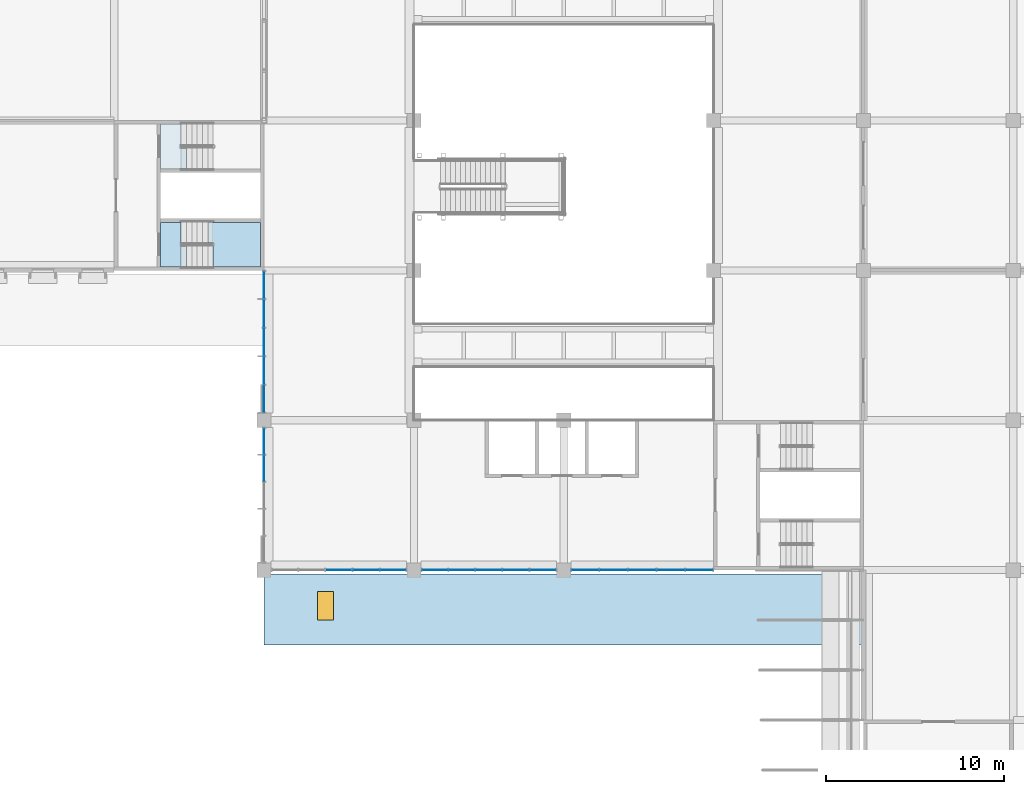
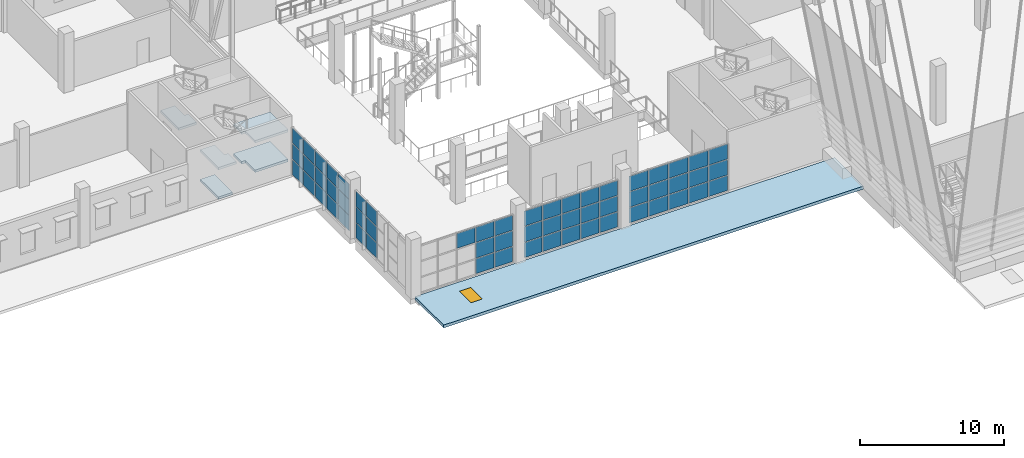
# One storey, part 22 of 101: 58 plates, 6 slabs, 1 window, 1 opening, 7 elements without a shape of their own.
"""IFC4 building model written with IfcOpenShell, lengths in metres."""

from ifc_helpers import new_model, si_unit, direction, frame, origin, origin_2d, place, context, subcontext, project, spatial, polyline, rectangle, outline, extrude, material, layer, layer_set, type_object, element, fill, aggregate, save


model = new_model("IFC4")

# Units and contexts
model_context = context("Model", 3, precision=1e-05, world=origin(), true_north=direction((0.0, 1.0)))
body_context = subcontext(model_context, "Body", "Model", "MODEL_VIEW")
ifc_project = project(units=[si_unit("LENGTHUNIT", "METRE"), si_unit("AREAUNIT", "SQUARE_METRE"), si_unit("VOLUMEUNIT", "CUBIC_METRE"), si_unit("PLANEANGLEUNIT", "RADIAN"), si_unit("MASSUNIT", "GRAM", prefix="KILO")], contexts=[model_context])

# Site, building, storey
site_placement = place(None, origin())
site = spatial("IfcSite", under=ifc_project, at=site_placement, CompositionType="ELEMENT")
building_placement = place(site_placement, origin())
building = spatial("IfcBuilding", under=site, at=building_placement, Name="Almond Square Museum", CompositionType="ELEMENT")
storey_placement = place(building_placement, frame((0.0, 0.0, 5.5)))
storey = spatial("IfcBuildingStorey", under=building, at=storey_placement, Name="L01", CompositionType="ELEMENT", Elevation=5.5)

# Slab, opening, window
ifc_material_1 = material(Name="Timber deck and membrane roofing", Category="wood")
ifc_layer_1 = layer(ifc_material_1, 0.25)
ifc_layer_set_1 = layer_set([ifc_layer_1], Name="Timber deck and membrane roofing")
slab_type_1 = type_object("IfcSlabType", Name="Arcade roof covering 250", PredefinedType="ROOF", material=ifc_layer_set_1)
slab_1_placement = place(storey_placement, frame((0.0, 0.0, -0.25)))
slab_1 = element("IfcSlab", 1, at=slab_1_placement, inside=storey, type_object=slab_type_1, Name="Roof covering Log V2", PredefinedType="ROOF", context=body_context, shape_type="SweptSolid", body=[
    extrude(outline(polyline([(106.800048828125, 63.0), (106.800048828125, 66.97998046875), (73.199951171875, 66.97998046875), (73.199951171875, 63.0), (106.800048828125, 63.0)])), origin(), (0.0, 0.0, 1.0), 0.25),
])
opening_placement = place(slab_1_placement, frame((76.64990234375, 65.199951171875, -0.010009765625)))
opening = element("IfcOpeningElement", 2, at=opening_placement, cuts=slab_1, Name="Opening RL403", PredefinedType="OPENING", context=body_context, shape_type="SweptSolid", body=[
    extrude(rectangle(XDim=0.89990234375, YDim=1.60009765625, at=origin_2d()), origin(), (0.0, 0.0, 1.0), 0.27001953125),
])
ifc_material_2 = material(Name="Aluminium frame and laminated glass", Category="aluminium")
window_type = type_object("IfcWindowType", Name="Entrance rooflight 900 x 1600", PartitioningType="SINGLE_PANEL", PredefinedType="SKYLIGHT", material=ifc_material_2)
window_placement = place(opening_placement, frame((0.0, 0.0, 0.2099609375)))
window = element("IfcWindow", 3, at=window_placement, inside=storey, type_object=window_type, Name="Rooflight", OverallHeight=1.60009765625, OverallWidth=0.89990234375, PartitioningType="SINGLE_PANEL", PredefinedType="SKYLIGHT", context=body_context, shape_type="SweptSolid", body=[
    extrude(rectangle(XDim=0.89990234375, YDim=1.60009765625, at=origin_2d()), origin(), (0.0, 0.0, 1.0), 0.050048828125),
])
fill(opening, window)

# Stair, slabs
ifc_material_3 = material(Name="Concrete C40/50", Category="concrete")
stair_type = type_object("IfcStairType", Name="Exit stair 28 risers of 179 mm", PredefinedType="HALF_TURN_STAIR", material=ifc_material_3)
stair_1_placement = place(storey_placement, origin())
stair_1 = element("IfcStair", 4, at=stair_1_placement, inside=storey, type_object=stair_type, Name="L01 stair N2-1", PredefinedType="HALF_TURN_STAIR")
ifc_material_4 = material(Name="Concrete C40/50", Category="concrete")
ifc_layer_2 = layer(ifc_material_4, 0.199951171875)
ifc_layer_set_2 = layer_set([ifc_layer_2], Name="Concrete C40/50")
slab_type_2 = type_object("IfcSlabType", Name="Concrete stair landing 200", PredefinedType="LANDING", material=ifc_layer_set_2)
slab_2_placement = place(storey_placement, frame((0.0, 0.0, 1.050048828125)))
slab_2 = element("IfcSlab", 5, at=slab_2_placement, type_object=slab_type_2, Name="ST-19 landing 1", PredefinedType="LANDING", context=body_context, shape_type="SweptSolid", body=[
    extrude(outline(polyline([(70.346923828125, 84.199951171875), (73.0, 84.199951171875), (73.0, 86.699951171875), (70.050048828125, 86.699951171875), (70.050048828125, 85.550048828125), (70.346923828125, 85.550048828125), (70.346923828125, 84.199951171875)])), origin(), (0.0, 0.0, 1.0), 0.199951171875),
])
slab_3_placement = place(storey_placement, frame((0.0, 0.0, 2.300048828125)))
slab_3 = element("IfcSlab", 6, at=slab_3_placement, type_object=slab_type_2, Name="ST-19 landing 2", PredefinedType="LANDING", context=body_context, shape_type="SweptSolid", body=[
    extrude(outline(polyline([(67.39990234375, 84.199951171875), (68.550048828125, 84.199951171875), (68.85009765625, 84.199951171875), (68.85009765625, 85.35009765625), (68.552978515625, 85.35009765625), (68.552978515625, 86.699951171875), (67.39990234375, 86.699951171875), (67.39990234375, 84.199951171875)])), origin(), (0.0, 0.0, 1.0), 0.199951171875),
])
slab_4_placement = place(storey_placement, frame((0.0, 0.0, 3.550048828125)))
slab_4 = element("IfcSlab", 7, at=slab_4_placement, type_object=slab_type_2, Name="ST-19 landing 3", PredefinedType="LANDING", context=body_context, shape_type="SweptSolid", body=[
    extrude(outline(polyline([(70.346923828125, 84.199951171875), (73.0, 84.199951171875), (73.0, 86.699951171875), (70.050048828125, 86.699951171875), (70.050048828125, 85.550048828125), (70.346923828125, 85.550048828125), (70.346923828125, 84.199951171875)])), origin(), (0.0, 0.0, 1.0), 0.199951171875),
])
aggregate(stair_1, [slab_2, slab_3, slab_4])

# Stair, slab
stair_2_placement = place(storey_placement, origin())
stair_2 = element("IfcStair", 8, at=stair_2_placement, inside=storey, type_object=stair_type, Name="L01 stair N2-2", PredefinedType="HALF_TURN_STAIR")
slab_5_placement = place(storey_placement, frame((0.0, 0.0, 2.300048828125)))
slab_5 = element("IfcSlab", 9, at=slab_5_placement, type_object=slab_type_2, Name="ST-20 landing 2", PredefinedType="LANDING", context=body_context, shape_type="SweptSolid", body=[
    extrude(outline(polyline([(67.39990234375, 89.699951171875), (68.550048828125, 89.699951171875), (68.85009765625, 89.699951171875), (68.85009765625, 90.85009765625), (68.552978515625, 90.85009765625), (68.552978515625, 92.199951171875), (67.39990234375, 92.199951171875), (67.39990234375, 89.699951171875)])), origin(), (0.0, 0.0, 1.0), 0.199951171875),
])
aggregate(stair_2, [slab_5])

# Slab
slab_6_placement = place(storey_placement, frame((0.0, 0.0, -0.199951171875)))
element("IfcSlab", 10, at=slab_6_placement, inside=storey, type_object=slab_type_2, Name="L01 stair N2-1 floor landing", PredefinedType="LANDING", context=body_context, shape_type="SweptSolid", body=[
    extrude(outline(polyline([(67.39990234375, 84.199951171875), (68.552978515625, 84.199951171875), (68.552978515625, 86.699951171875), (67.39990234375, 86.699951171875), (67.39990234375, 84.199951171875)])), origin(), (0.0, 0.0, 1.0), 0.199951171875),
])

# Curtain wall, plates
ifc_material_5 = material(Name="Aluminium and laminated glass", Category="aluminium")
curtain_wall_type = type_object("IfcCurtainWallType", Name="Unitised curtain wall 1500 module", PredefinedType="NOTDEFINED", material=ifc_material_5)
curtain_wall_1_placement = place(storey_placement, origin())
curtain_wall_1 = element("IfcCurtainWall", 11, at=curtain_wall_1_placement, inside=storey, type_object=curtain_wall_type, Name="Curtain wall CW-11", PredefinedType="NOTDEFINED")
ifc_material_6 = material(Name="Laminated hurricane-rated glass", Category="glass")
ifc_layer_3 = layer(ifc_material_6, 0.035888671875)
ifc_layer_set_3 = layer_set([ifc_layer_3], Name="Laminated hurricane-rated glass")
plate_type = type_object("IfcPlateType", Name="Laminated glass panel 36", PredefinedType="CURTAIN_PANEL", material=ifc_layer_set_3)
plate_1_placement = place(storey_placement, frame((73.199951171875, 76.81494140625, 0.06005859375), z_axis=(0.0, 0.0, 1.0), x_axis=(0.0, 1.0, 0.0)))
plate_1 = element("IfcPlate", 12, at=plate_1_placement, type_object=plate_type, Name="CW-11 panel 1.1", PredefinedType="CURTAIN_PANEL", context=body_context, shape_type="SweptSolid", body=[
    extrude(rectangle(XDim=1.510009765625, YDim=0.035888671875, at=origin_2d()), origin(), (0.0, 0.0, 1.0), 1.260009765625),
])
plate_2_placement = place(storey_placement, frame((73.199951171875, 76.81494140625, 1.3798828125), z_axis=(0.0, 0.0, 1.0), x_axis=(0.0, 1.0, 0.0)))
plate_2 = element("IfcPlate", 13, at=plate_2_placement, type_object=plate_type, Name="CW-11 panel 1.2", PredefinedType="CURTAIN_PANEL", context=body_context, shape_type="SweptSolid", body=[
    extrude(rectangle(XDim=1.510009765625, YDim=0.035888671875, at=origin_2d()), origin(), (0.0, 0.0, 1.0), 1.2900390625),
])
plate_3_placement = place(storey_placement, frame((73.199951171875, 76.81494140625, 2.72998046875), z_axis=(0.0, 0.0, 1.0), x_axis=(0.0, 1.0, 0.0)))
plate_3 = element("IfcPlate", 14, at=plate_3_placement, type_object=plate_type, Name="CW-11 panel 1.3", PredefinedType="CURTAIN_PANEL", context=body_context, shape_type="SweptSolid", body=[
    extrude(rectangle(XDim=1.510009765625, YDim=0.035888671875, at=origin_2d()), origin(), (0.0, 0.0, 1.0), 1.260009765625),
])
plate_4_placement = place(storey_placement, frame((73.199951171875, 78.39990234375, 0.06005859375), z_axis=(0.0, 0.0, 1.0), x_axis=(0.0, 1.0, 0.0)))
plate_4 = element("IfcPlate", 15, at=plate_4_placement, type_object=plate_type, Name="CW-11 panel 2.1", PredefinedType="CURTAIN_PANEL", context=body_context, shape_type="SweptSolid", body=[
    extrude(rectangle(XDim=1.5400390625, YDim=0.035888671875, at=origin_2d()), origin(), (0.0, 0.0, 1.0), 1.260009765625),
])
plate_5_placement = place(storey_placement, frame((73.199951171875, 78.39990234375, 1.3798828125), z_axis=(0.0, 0.0, 1.0), x_axis=(0.0, 1.0, 0.0)))
plate_5 = element("IfcPlate", 16, at=plate_5_placement, type_object=plate_type, Name="CW-11 panel 2.2", PredefinedType="CURTAIN_PANEL", context=body_context, shape_type="SweptSolid", body=[
    extrude(rectangle(XDim=1.5400390625, YDim=0.035888671875, at=origin_2d()), origin(), (0.0, 0.0, 1.0), 1.2900390625),
])
plate_6_placement = place(storey_placement, frame((73.199951171875, 78.39990234375, 2.72998046875), z_axis=(0.0, 0.0, 1.0), x_axis=(0.0, 1.0, 0.0)))
plate_6 = element("IfcPlate", 17, at=plate_6_placement, type_object=plate_type, Name="CW-11 panel 2.3", PredefinedType="CURTAIN_PANEL", context=body_context, shape_type="SweptSolid", body=[
    extrude(rectangle(XDim=1.5400390625, YDim=0.035888671875, at=origin_2d()), origin(), (0.0, 0.0, 1.0), 1.260009765625),
])
plate_7_placement = place(storey_placement, frame((73.199951171875, 80.0, 0.06005859375), z_axis=(0.0, 0.0, 1.0), x_axis=(0.0, 1.0, 0.0)))
plate_7 = element("IfcPlate", 18, at=plate_7_placement, type_object=plate_type, Name="CW-11 panel 3.1", PredefinedType="CURTAIN_PANEL", context=body_context, shape_type="SweptSolid", body=[
    extrude(rectangle(XDim=1.5400390625, YDim=0.035888671875, at=origin_2d()), origin(), (0.0, 0.0, 1.0), 1.260009765625),
])
plate_8_placement = place(storey_placement, frame((73.199951171875, 80.0, 1.3798828125), z_axis=(0.0, 0.0, 1.0), x_axis=(0.0, 1.0, 0.0)))
plate_8 = element("IfcPlate", 19, at=plate_8_placement, type_object=plate_type, Name="CW-11 panel 3.2", PredefinedType="CURTAIN_PANEL", context=body_context, shape_type="SweptSolid", body=[
    extrude(rectangle(XDim=1.5400390625, YDim=0.035888671875, at=origin_2d()), origin(), (0.0, 0.0, 1.0), 1.2900390625),
])
plate_9_placement = place(storey_placement, frame((73.199951171875, 80.0, 2.72998046875), z_axis=(0.0, 0.0, 1.0), x_axis=(0.0, 1.0, 0.0)))
plate_9 = element("IfcPlate", 20, at=plate_9_placement, type_object=plate_type, Name="CW-11 panel 3.3", PredefinedType="CURTAIN_PANEL", context=body_context, shape_type="SweptSolid", body=[
    extrude(rectangle(XDim=1.5400390625, YDim=0.035888671875, at=origin_2d()), origin(), (0.0, 0.0, 1.0), 1.260009765625),
])
plate_10_placement = place(storey_placement, frame((73.199951171875, 81.60009765625, 0.06005859375), z_axis=(0.0, 0.0, 1.0), x_axis=(0.0, 1.0, 0.0)))
plate_10 = element("IfcPlate", 21, at=plate_10_placement, type_object=plate_type, Name="CW-11 panel 4.1", PredefinedType="CURTAIN_PANEL", context=body_context, shape_type="SweptSolid", body=[
    extrude(rectangle(XDim=1.5400390625, YDim=0.035888671875, at=origin_2d()), origin(), (0.0, 0.0, 1.0), 1.260009765625),
])
plate_11_placement = place(storey_placement, frame((73.199951171875, 81.60009765625, 1.3798828125), z_axis=(0.0, 0.0, 1.0), x_axis=(0.0, 1.0, 0.0)))
plate_11 = element("IfcPlate", 22, at=plate_11_placement, type_object=plate_type, Name="CW-11 panel 4.2", PredefinedType="CURTAIN_PANEL", context=body_context, shape_type="SweptSolid", body=[
    extrude(rectangle(XDim=1.5400390625, YDim=0.035888671875, at=origin_2d()), origin(), (0.0, 0.0, 1.0), 1.2900390625),
])
plate_12_placement = place(storey_placement, frame((73.199951171875, 81.60009765625, 2.72998046875), z_axis=(0.0, 0.0, 1.0), x_axis=(0.0, 1.0, 0.0)))
plate_12 = element("IfcPlate", 23, at=plate_12_placement, type_object=plate_type, Name="CW-11 panel 4.3", PredefinedType="CURTAIN_PANEL", context=body_context, shape_type="SweptSolid", body=[
    extrude(rectangle(XDim=1.5400390625, YDim=0.035888671875, at=origin_2d()), origin(), (0.0, 0.0, 1.0), 1.260009765625),
])
plate_13_placement = place(storey_placement, frame((73.199951171875, 83.18505859375, 0.06005859375), z_axis=(0.0, 0.0, 1.0), x_axis=(0.0, 1.0, 0.0)))
plate_13 = element("IfcPlate", 24, at=plate_13_placement, type_object=plate_type, Name="CW-11 panel 5.1", PredefinedType="CURTAIN_PANEL", context=body_context, shape_type="SweptSolid", body=[
    extrude(rectangle(XDim=1.510009765625, YDim=0.035888671875, at=origin_2d()), origin(), (0.0, 0.0, 1.0), 1.260009765625),
])
plate_14_placement = place(storey_placement, frame((73.199951171875, 83.18505859375, 1.3798828125), z_axis=(0.0, 0.0, 1.0), x_axis=(0.0, 1.0, 0.0)))
plate_14 = element("IfcPlate", 25, at=plate_14_placement, type_object=plate_type, Name="CW-11 panel 5.2", PredefinedType="CURTAIN_PANEL", context=body_context, shape_type="SweptSolid", body=[
    extrude(rectangle(XDim=1.510009765625, YDim=0.035888671875, at=origin_2d()), origin(), (0.0, 0.0, 1.0), 1.2900390625),
])
plate_15_placement = place(storey_placement, frame((73.199951171875, 83.18505859375, 2.72998046875), z_axis=(0.0, 0.0, 1.0), x_axis=(0.0, 1.0, 0.0)))
plate_15 = element("IfcPlate", 26, at=plate_15_placement, type_object=plate_type, Name="CW-11 panel 5.3", PredefinedType="CURTAIN_PANEL", context=body_context, shape_type="SweptSolid", body=[
    extrude(rectangle(XDim=1.510009765625, YDim=0.035888671875, at=origin_2d()), origin(), (0.0, 0.0, 1.0), 1.260009765625),
])
aggregate(curtain_wall_1, [plate_1, plate_2, plate_3, plate_4, plate_5, plate_6, plate_7, plate_8, plate_9, plate_10, plate_11, plate_12, plate_13, plate_14, plate_15])

curtain_wall_2_placement = place(storey_placement, origin())
curtain_wall_2 = element("IfcCurtainWall", 27, at=curtain_wall_2_placement, inside=storey, type_object=curtain_wall_type, Name="Curtain wall CW-12", PredefinedType="NOTDEFINED")
plate_16_placement = place(storey_placement, frame((73.199951171875, 72.919921875, 0.06005859375), z_axis=(0.0, 0.0, 1.0), x_axis=(0.0, 1.0, 0.0)))
plate_16 = element("IfcPlate", 28, at=plate_16_placement, type_object=plate_type, Name="CW-12 panel 4.1", PredefinedType="CURTAIN_PANEL", context=body_context, shape_type="SweptSolid", body=[
    extrude(rectangle(XDim=1.4599609375, YDim=0.035888671875, at=origin_2d()), origin(), (0.0, 0.0, 1.0), 1.260009765625),
])
plate_17_placement = place(storey_placement, frame((73.199951171875, 72.919921875, 1.3798828125), z_axis=(0.0, 0.0, 1.0), x_axis=(0.0, 1.0, 0.0)))
plate_17 = element("IfcPlate", 29, at=plate_17_placement, type_object=plate_type, Name="CW-12 panel 4.2", PredefinedType="CURTAIN_PANEL", context=body_context, shape_type="SweptSolid", body=[
    extrude(rectangle(XDim=1.4599609375, YDim=0.035888671875, at=origin_2d()), origin(), (0.0, 0.0, 1.0), 1.2900390625),
])
plate_18_placement = place(storey_placement, frame((73.199951171875, 72.919921875, 2.72998046875), z_axis=(0.0, 0.0, 1.0), x_axis=(0.0, 1.0, 0.0)))
plate_18 = element("IfcPlate", 30, at=plate_18_placement, type_object=plate_type, Name="CW-12 panel 4.3", PredefinedType="CURTAIN_PANEL", context=body_context, shape_type="SweptSolid", body=[
    extrude(rectangle(XDim=1.4599609375, YDim=0.035888671875, at=origin_2d()), origin(), (0.0, 0.0, 1.0), 1.260009765625),
])
plate_19_placement = place(storey_placement, frame((73.199951171875, 74.425048828125, 0.06005859375), z_axis=(0.0, 0.0, 1.0), x_axis=(0.0, 1.0, 0.0)))
plate_19 = element("IfcPlate", 31, at=plate_19_placement, type_object=plate_type, Name="CW-12 panel 5.1", PredefinedType="CURTAIN_PANEL", context=body_context, shape_type="SweptSolid", body=[
    extrude(rectangle(XDim=1.429931640625, YDim=0.035888671875, at=origin_2d()), origin(), (0.0, 0.0, 1.0), 1.260009765625),
])
plate_20_placement = place(storey_placement, frame((73.199951171875, 74.425048828125, 1.3798828125), z_axis=(0.0, 0.0, 1.0), x_axis=(0.0, 1.0, 0.0)))
plate_20 = element("IfcPlate", 32, at=plate_20_placement, type_object=plate_type, Name="CW-12 panel 5.2", PredefinedType="CURTAIN_PANEL", context=body_context, shape_type="SweptSolid", body=[
    extrude(rectangle(XDim=1.429931640625, YDim=0.035888671875, at=origin_2d()), origin(), (0.0, 0.0, 1.0), 1.2900390625),
])
plate_21_placement = place(storey_placement, frame((73.199951171875, 74.425048828125, 2.72998046875), z_axis=(0.0, 0.0, 1.0), x_axis=(0.0, 1.0, 0.0)))
plate_21 = element("IfcPlate", 33, at=plate_21_placement, type_object=plate_type, Name="CW-12 panel 5.3", PredefinedType="CURTAIN_PANEL", context=body_context, shape_type="SweptSolid", body=[
    extrude(rectangle(XDim=1.429931640625, YDim=0.035888671875, at=origin_2d()), origin(), (0.0, 0.0, 1.0), 1.260009765625),
])
aggregate(curtain_wall_2, [plate_16, plate_17, plate_18, plate_19, plate_20, plate_21])

curtain_wall_3_placement = place(storey_placement, origin())
curtain_wall_3 = element("IfcCurtainWall", 34, at=curtain_wall_3_placement, inside=storey, type_object=curtain_wall_type, Name="Curtain wall CW-13", PredefinedType="NOTDEFINED")
plate_22_placement = place(storey_placement, frame((77.39990234375, 67.199951171875, 2.72998046875), z_axis=(0.0, 0.0, 1.0), x_axis=(1.0, 0.0, 0.0)))
plate_22 = element("IfcPlate", 35, at=plate_22_placement, type_object=plate_type, Name="CW-13 panel 3.3", PredefinedType="CURTAIN_PANEL", context=body_context, shape_type="SweptSolid", body=[
    extrude(rectangle(XDim=1.4599609375, YDim=0.035888671875, at=origin_2d()), origin(), (0.0, 0.0, 1.0), 1.260009765625),
])
plate_23_placement = place(storey_placement, frame((78.919921875, 67.199951171875, 0.06005859375), z_axis=(0.0, 0.0, 1.0), x_axis=(1.0, 0.0, 0.0)))
plate_23 = element("IfcPlate", 36, at=plate_23_placement, type_object=plate_type, Name="CW-13 panel 4.1", PredefinedType="CURTAIN_PANEL", context=body_context, shape_type="SweptSolid", body=[
    extrude(rectangle(XDim=1.4599609375, YDim=0.035888671875, at=origin_2d()), origin(), (0.0, 0.0, 1.0), 1.260009765625),
])
plate_24_placement = place(storey_placement, frame((78.919921875, 67.199951171875, 1.3798828125), z_axis=(0.0, 0.0, 1.0), x_axis=(1.0, 0.0, 0.0)))
plate_24 = element("IfcPlate", 37, at=plate_24_placement, type_object=plate_type, Name="CW-13 panel 4.2", PredefinedType="CURTAIN_PANEL", context=body_context, shape_type="SweptSolid", body=[
    extrude(rectangle(XDim=1.4599609375, YDim=0.035888671875, at=origin_2d()), origin(), (0.0, 0.0, 1.0), 1.2900390625),
])
plate_25_placement = place(storey_placement, frame((78.919921875, 67.199951171875, 2.72998046875), z_axis=(0.0, 0.0, 1.0), x_axis=(1.0, 0.0, 0.0)))
plate_25 = element("IfcPlate", 38, at=plate_25_placement, type_object=plate_type, Name="CW-13 panel 4.3", PredefinedType="CURTAIN_PANEL", context=body_context, shape_type="SweptSolid", body=[
    extrude(rectangle(XDim=1.4599609375, YDim=0.035888671875, at=origin_2d()), origin(), (0.0, 0.0, 1.0), 1.260009765625),
])
plate_26_placement = place(storey_placement, frame((80.425048828125, 67.199951171875, 0.06005859375), z_axis=(0.0, 0.0, 1.0), x_axis=(1.0, 0.0, 0.0)))
plate_26 = element("IfcPlate", 39, at=plate_26_placement, type_object=plate_type, Name="CW-13 panel 5.1", PredefinedType="CURTAIN_PANEL", context=body_context, shape_type="SweptSolid", body=[
    extrude(rectangle(XDim=1.429931640625, YDim=0.035888671875, at=origin_2d()), origin(), (0.0, 0.0, 1.0), 1.260009765625),
])
plate_27_placement = place(storey_placement, frame((80.425048828125, 67.199951171875, 1.3798828125), z_axis=(0.0, 0.0, 1.0), x_axis=(1.0, 0.0, 0.0)))
plate_27 = element("IfcPlate", 40, at=plate_27_placement, type_object=plate_type, Name="CW-13 panel 5.2", PredefinedType="CURTAIN_PANEL", context=body_context, shape_type="SweptSolid", body=[
    extrude(rectangle(XDim=1.429931640625, YDim=0.035888671875, at=origin_2d()), origin(), (0.0, 0.0, 1.0), 1.2900390625),
])
plate_28_placement = place(storey_placement, frame((80.425048828125, 67.199951171875, 2.72998046875), z_axis=(0.0, 0.0, 1.0), x_axis=(1.0, 0.0, 0.0)))
plate_28 = element("IfcPlate", 41, at=plate_28_placement, type_object=plate_type, Name="CW-13 panel 5.3", PredefinedType="CURTAIN_PANEL", context=body_context, shape_type="SweptSolid", body=[
    extrude(rectangle(XDim=1.429931640625, YDim=0.035888671875, at=origin_2d()), origin(), (0.0, 0.0, 1.0), 1.260009765625),
])
aggregate(curtain_wall_3, [plate_22, plate_23, plate_24, plate_25, plate_26, plate_27, plate_28])

curtain_wall_4_placement = place(storey_placement, origin())
curtain_wall_4 = element("IfcCurtainWall", 42, at=curtain_wall_4_placement, inside=storey, type_object=curtain_wall_type, Name="Curtain wall CW-14", PredefinedType="NOTDEFINED")
plate_29_placement = place(storey_placement, frame((82.77490234375, 67.199951171875, 0.06005859375), z_axis=(0.0, 0.0, 1.0), x_axis=(1.0, 0.0, 0.0)))
plate_29 = element("IfcPlate", 43, at=plate_29_placement, type_object=plate_type, Name="CW-14 panel 1.1", PredefinedType="CURTAIN_PANEL", context=body_context, shape_type="SweptSolid", body=[
    extrude(rectangle(XDim=1.429931640625, YDim=0.035888671875, at=origin_2d()), origin(), (0.0, 0.0, 1.0), 1.260009765625),
])
plate_30_placement = place(storey_placement, frame((82.77490234375, 67.199951171875, 1.3798828125), z_axis=(0.0, 0.0, 1.0), x_axis=(1.0, 0.0, 0.0)))
plate_30 = element("IfcPlate", 44, at=plate_30_placement, type_object=plate_type, Name="CW-14 panel 1.2", PredefinedType="CURTAIN_PANEL", context=body_context, shape_type="SweptSolid", body=[
    extrude(rectangle(XDim=1.429931640625, YDim=0.035888671875, at=origin_2d()), origin(), (0.0, 0.0, 1.0), 1.2900390625),
])
plate_31_placement = place(storey_placement, frame((82.77490234375, 67.199951171875, 2.72998046875), z_axis=(0.0, 0.0, 1.0), x_axis=(1.0, 0.0, 0.0)))
plate_31 = element("IfcPlate", 45, at=plate_31_placement, type_object=plate_type, Name="CW-14 panel 1.3", PredefinedType="CURTAIN_PANEL", context=body_context, shape_type="SweptSolid", body=[
    extrude(rectangle(XDim=1.429931640625, YDim=0.035888671875, at=origin_2d()), origin(), (0.0, 0.0, 1.0), 1.260009765625),
])
plate_32_placement = place(storey_placement, frame((84.280029296875, 67.199951171875, 0.06005859375), z_axis=(0.0, 0.0, 1.0), x_axis=(1.0, 0.0, 0.0)))
plate_32 = element("IfcPlate", 46, at=plate_32_placement, type_object=plate_type, Name="CW-14 panel 2.1", PredefinedType="CURTAIN_PANEL", context=body_context, shape_type="SweptSolid", body=[
    extrude(rectangle(XDim=1.4599609375, YDim=0.035888671875, at=origin_2d()), origin(), (0.0, 0.0, 1.0), 1.260009765625),
])
plate_33_placement = place(storey_placement, frame((84.280029296875, 67.199951171875, 1.3798828125), z_axis=(0.0, 0.0, 1.0), x_axis=(1.0, 0.0, 0.0)))
plate_33 = element("IfcPlate", 47, at=plate_33_placement, type_object=plate_type, Name="CW-14 panel 2.2", PredefinedType="CURTAIN_PANEL", context=body_context, shape_type="SweptSolid", body=[
    extrude(rectangle(XDim=1.4599609375, YDim=0.035888671875, at=origin_2d()), origin(), (0.0, 0.0, 1.0), 1.2900390625),
])
plate_34_placement = place(storey_placement, frame((84.280029296875, 67.199951171875, 2.72998046875), z_axis=(0.0, 0.0, 1.0), x_axis=(1.0, 0.0, 0.0)))
plate_34 = element("IfcPlate", 48, at=plate_34_placement, type_object=plate_type, Name="CW-14 panel 2.3", PredefinedType="CURTAIN_PANEL", context=body_context, shape_type="SweptSolid", body=[
    extrude(rectangle(XDim=1.4599609375, YDim=0.035888671875, at=origin_2d()), origin(), (0.0, 0.0, 1.0), 1.260009765625),
])
plate_35_placement = place(storey_placement, frame((85.800048828125, 67.199951171875, 0.06005859375), z_axis=(0.0, 0.0, 1.0), x_axis=(1.0, 0.0, 0.0)))
plate_35 = element("IfcPlate", 49, at=plate_35_placement, type_object=plate_type, Name="CW-14 panel 3.1", PredefinedType="CURTAIN_PANEL", context=body_context, shape_type="SweptSolid", body=[
    extrude(rectangle(XDim=1.4599609375, YDim=0.035888671875, at=origin_2d()), origin(), (0.0, 0.0, 1.0), 1.260009765625),
])
plate_36_placement = place(storey_placement, frame((85.800048828125, 67.199951171875, 1.3798828125), z_axis=(0.0, 0.0, 1.0), x_axis=(1.0, 0.0, 0.0)))
plate_36 = element("IfcPlate", 50, at=plate_36_placement, type_object=plate_type, Name="CW-14 panel 3.2", PredefinedType="CURTAIN_PANEL", context=body_context, shape_type="SweptSolid", body=[
    extrude(rectangle(XDim=1.4599609375, YDim=0.035888671875, at=origin_2d()), origin(), (0.0, 0.0, 1.0), 1.2900390625),
])
plate_37_placement = place(storey_placement, frame((85.800048828125, 67.199951171875, 2.72998046875), z_axis=(0.0, 0.0, 1.0), x_axis=(1.0, 0.0, 0.0)))
plate_37 = element("IfcPlate", 51, at=plate_37_placement, type_object=plate_type, Name="CW-14 panel 3.3", PredefinedType="CURTAIN_PANEL", context=body_context, shape_type="SweptSolid", body=[
    extrude(rectangle(XDim=1.4599609375, YDim=0.035888671875, at=origin_2d()), origin(), (0.0, 0.0, 1.0), 1.260009765625),
])
plate_38_placement = place(storey_placement, frame((87.320068359375, 67.199951171875, 0.06005859375), z_axis=(0.0, 0.0, 1.0), x_axis=(1.0, 0.0, 0.0)))
plate_38 = element("IfcPlate", 52, at=plate_38_placement, type_object=plate_type, Name="CW-14 panel 4.1", PredefinedType="CURTAIN_PANEL", context=body_context, shape_type="SweptSolid", body=[
    extrude(rectangle(XDim=1.4599609375, YDim=0.035888671875, at=origin_2d()), origin(), (0.0, 0.0, 1.0), 1.260009765625),
])
plate_39_placement = place(storey_placement, frame((87.320068359375, 67.199951171875, 1.3798828125), z_axis=(0.0, 0.0, 1.0), x_axis=(1.0, 0.0, 0.0)))
plate_39 = element("IfcPlate", 53, at=plate_39_placement, type_object=plate_type, Name="CW-14 panel 4.2", PredefinedType="CURTAIN_PANEL", context=body_context, shape_type="SweptSolid", body=[
    extrude(rectangle(XDim=1.4599609375, YDim=0.035888671875, at=origin_2d()), origin(), (0.0, 0.0, 1.0), 1.2900390625),
])
plate_40_placement = place(storey_placement, frame((87.320068359375, 67.199951171875, 2.72998046875), z_axis=(0.0, 0.0, 1.0), x_axis=(1.0, 0.0, 0.0)))
plate_40 = element("IfcPlate", 54, at=plate_40_placement, type_object=plate_type, Name="CW-14 panel 4.3", PredefinedType="CURTAIN_PANEL", context=body_context, shape_type="SweptSolid", body=[
    extrude(rectangle(XDim=1.4599609375, YDim=0.035888671875, at=origin_2d()), origin(), (0.0, 0.0, 1.0), 1.260009765625),
])
plate_41_placement = place(storey_placement, frame((88.824951171875, 67.199951171875, 0.06005859375), z_axis=(0.0, 0.0, 1.0), x_axis=(1.0, 0.0, 0.0)))
plate_41 = element("IfcPlate", 55, at=plate_41_placement, type_object=plate_type, Name="CW-14 panel 5.1", PredefinedType="CURTAIN_PANEL", context=body_context, shape_type="SweptSolid", body=[
    extrude(rectangle(XDim=1.429931640625, YDim=0.035888671875, at=origin_2d()), origin(), (0.0, 0.0, 1.0), 1.260009765625),
])
plate_42_placement = place(storey_placement, frame((88.824951171875, 67.199951171875, 1.3798828125), z_axis=(0.0, 0.0, 1.0), x_axis=(1.0, 0.0, 0.0)))
plate_42 = element("IfcPlate", 56, at=plate_42_placement, type_object=plate_type, Name="CW-14 panel 5.2", PredefinedType="CURTAIN_PANEL", context=body_context, shape_type="SweptSolid", body=[
    extrude(rectangle(XDim=1.429931640625, YDim=0.035888671875, at=origin_2d()), origin(), (0.0, 0.0, 1.0), 1.2900390625),
])
plate_43_placement = place(storey_placement, frame((88.824951171875, 67.199951171875, 2.72998046875), z_axis=(0.0, 0.0, 1.0), x_axis=(1.0, 0.0, 0.0)))
plate_43 = element("IfcPlate", 57, at=plate_43_placement, type_object=plate_type, Name="CW-14 panel 5.3", PredefinedType="CURTAIN_PANEL", context=body_context, shape_type="SweptSolid", body=[
    extrude(rectangle(XDim=1.429931640625, YDim=0.035888671875, at=origin_2d()), origin(), (0.0, 0.0, 1.0), 1.260009765625),
])
aggregate(curtain_wall_4, [plate_29, plate_30, plate_31, plate_32, plate_33, plate_34, plate_35, plate_36, plate_37, plate_38, plate_39, plate_40, plate_41, plate_42, plate_43])

curtain_wall_5_placement = place(storey_placement, origin())
curtain_wall_5 = element("IfcCurtainWall", 58, at=curtain_wall_5_placement, inside=storey, type_object=curtain_wall_type, Name="Curtain wall CW-15", PredefinedType="NOTDEFINED")
plate_44_placement = place(storey_placement, frame((91.215087890625, 67.199951171875, 0.06005859375), z_axis=(0.0, 0.0, 1.0), x_axis=(1.0, 0.0, 0.0)))
plate_44 = element("IfcPlate", 59, at=plate_44_placement, type_object=plate_type, Name="CW-15 panel 1.1", PredefinedType="CURTAIN_PANEL", context=body_context, shape_type="SweptSolid", body=[
    extrude(rectangle(XDim=1.510009765625, YDim=0.035888671875, at=origin_2d()), origin(), (0.0, 0.0, 1.0), 1.260009765625),
])
plate_45_placement = place(storey_placement, frame((91.215087890625, 67.199951171875, 1.3798828125), z_axis=(0.0, 0.0, 1.0), x_axis=(1.0, 0.0, 0.0)))
plate_45 = element("IfcPlate", 60, at=plate_45_placement, type_object=plate_type, Name="CW-15 panel 1.2", PredefinedType="CURTAIN_PANEL", context=body_context, shape_type="SweptSolid", body=[
    extrude(rectangle(XDim=1.510009765625, YDim=0.035888671875, at=origin_2d()), origin(), (0.0, 0.0, 1.0), 1.2900390625),
])
plate_46_placement = place(storey_placement, frame((91.215087890625, 67.199951171875, 2.72998046875), z_axis=(0.0, 0.0, 1.0), x_axis=(1.0, 0.0, 0.0)))
plate_46 = element("IfcPlate", 61, at=plate_46_placement, type_object=plate_type, Name="CW-15 panel 1.3", PredefinedType="CURTAIN_PANEL", context=body_context, shape_type="SweptSolid", body=[
    extrude(rectangle(XDim=1.510009765625, YDim=0.035888671875, at=origin_2d()), origin(), (0.0, 0.0, 1.0), 1.260009765625),
])
plate_47_placement = place(storey_placement, frame((92.800048828125, 67.199951171875, 0.06005859375), z_axis=(0.0, 0.0, 1.0), x_axis=(1.0, 0.0, 0.0)))
plate_47 = element("IfcPlate", 62, at=plate_47_placement, type_object=plate_type, Name="CW-15 panel 2.1", PredefinedType="CURTAIN_PANEL", context=body_context, shape_type="SweptSolid", body=[
    extrude(rectangle(XDim=1.5400390625, YDim=0.035888671875, at=origin_2d()), origin(), (0.0, 0.0, 1.0), 1.260009765625),
])
plate_48_placement = place(storey_placement, frame((92.800048828125, 67.199951171875, 1.3798828125), z_axis=(0.0, 0.0, 1.0), x_axis=(1.0, 0.0, 0.0)))
plate_48 = element("IfcPlate", 63, at=plate_48_placement, type_object=plate_type, Name="CW-15 panel 2.2", PredefinedType="CURTAIN_PANEL", context=body_context, shape_type="SweptSolid", body=[
    extrude(rectangle(XDim=1.5400390625, YDim=0.035888671875, at=origin_2d()), origin(), (0.0, 0.0, 1.0), 1.2900390625),
])
plate_49_placement = place(storey_placement, frame((92.800048828125, 67.199951171875, 2.72998046875), z_axis=(0.0, 0.0, 1.0), x_axis=(1.0, 0.0, 0.0)))
plate_49 = element("IfcPlate", 64, at=plate_49_placement, type_object=plate_type, Name="CW-15 panel 2.3", PredefinedType="CURTAIN_PANEL", context=body_context, shape_type="SweptSolid", body=[
    extrude(rectangle(XDim=1.5400390625, YDim=0.035888671875, at=origin_2d()), origin(), (0.0, 0.0, 1.0), 1.260009765625),
])
plate_50_placement = place(storey_placement, frame((94.39990234375, 67.199951171875, 0.06005859375), z_axis=(0.0, 0.0, 1.0), x_axis=(1.0, 0.0, 0.0)))
plate_50 = element("IfcPlate", 65, at=plate_50_placement, type_object=plate_type, Name="CW-15 panel 3.1", PredefinedType="CURTAIN_PANEL", context=body_context, shape_type="SweptSolid", body=[
    extrude(rectangle(XDim=1.5400390625, YDim=0.035888671875, at=origin_2d()), origin(), (0.0, 0.0, 1.0), 1.260009765625),
])
plate_51_placement = place(storey_placement, frame((94.39990234375, 67.199951171875, 1.3798828125), z_axis=(0.0, 0.0, 1.0), x_axis=(1.0, 0.0, 0.0)))
plate_51 = element("IfcPlate", 66, at=plate_51_placement, type_object=plate_type, Name="CW-15 panel 3.2", PredefinedType="CURTAIN_PANEL", context=body_context, shape_type="SweptSolid", body=[
    extrude(rectangle(XDim=1.5400390625, YDim=0.035888671875, at=origin_2d()), origin(), (0.0, 0.0, 1.0), 1.2900390625),
])
plate_52_placement = place(storey_placement, frame((94.39990234375, 67.199951171875, 2.72998046875), z_axis=(0.0, 0.0, 1.0), x_axis=(1.0, 0.0, 0.0)))
plate_52 = element("IfcPlate", 67, at=plate_52_placement, type_object=plate_type, Name="CW-15 panel 3.3", PredefinedType="CURTAIN_PANEL", context=body_context, shape_type="SweptSolid", body=[
    extrude(rectangle(XDim=1.5400390625, YDim=0.035888671875, at=origin_2d()), origin(), (0.0, 0.0, 1.0), 1.260009765625),
])
plate_53_placement = place(storey_placement, frame((96.0, 67.199951171875, 0.06005859375), z_axis=(0.0, 0.0, 1.0), x_axis=(1.0, 0.0, 0.0)))
plate_53 = element("IfcPlate", 68, at=plate_53_placement, type_object=plate_type, Name="CW-15 panel 4.1", PredefinedType="CURTAIN_PANEL", context=body_context, shape_type="SweptSolid", body=[
    extrude(rectangle(XDim=1.5400390625, YDim=0.035888671875, at=origin_2d()), origin(), (0.0, 0.0, 1.0), 1.260009765625),
])
plate_54_placement = place(storey_placement, frame((96.0, 67.199951171875, 1.3798828125), z_axis=(0.0, 0.0, 1.0), x_axis=(1.0, 0.0, 0.0)))
plate_54 = element("IfcPlate", 69, at=plate_54_placement, type_object=plate_type, Name="CW-15 panel 4.2", PredefinedType="CURTAIN_PANEL", context=body_context, shape_type="SweptSolid", body=[
    extrude(rectangle(XDim=1.5400390625, YDim=0.035888671875, at=origin_2d()), origin(), (0.0, 0.0, 1.0), 1.2900390625),
])
plate_55_placement = place(storey_placement, frame((96.0, 67.199951171875, 2.72998046875), z_axis=(0.0, 0.0, 1.0), x_axis=(1.0, 0.0, 0.0)))
plate_55 = element("IfcPlate", 70, at=plate_55_placement, type_object=plate_type, Name="CW-15 panel 4.3", PredefinedType="CURTAIN_PANEL", context=body_context, shape_type="SweptSolid", body=[
    extrude(rectangle(XDim=1.5400390625, YDim=0.035888671875, at=origin_2d()), origin(), (0.0, 0.0, 1.0), 1.260009765625),
])
plate_56_placement = place(storey_placement, frame((97.5849609375, 67.199951171875, 0.06005859375), z_axis=(0.0, 0.0, 1.0), x_axis=(1.0, 0.0, 0.0)))
plate_56 = element("IfcPlate", 71, at=plate_56_placement, type_object=plate_type, Name="CW-15 panel 5.1", PredefinedType="CURTAIN_PANEL", context=body_context, shape_type="SweptSolid", body=[
    extrude(rectangle(XDim=1.510009765625, YDim=0.035888671875, at=origin_2d()), origin(), (0.0, 0.0, 1.0), 1.260009765625),
])
plate_57_placement = place(storey_placement, frame((97.5849609375, 67.199951171875, 1.3798828125), z_axis=(0.0, 0.0, 1.0), x_axis=(1.0, 0.0, 0.0)))
plate_57 = element("IfcPlate", 72, at=plate_57_placement, type_object=plate_type, Name="CW-15 panel 5.2", PredefinedType="CURTAIN_PANEL", context=body_context, shape_type="SweptSolid", body=[
    extrude(rectangle(XDim=1.510009765625, YDim=0.035888671875, at=origin_2d()), origin(), (0.0, 0.0, 1.0), 1.2900390625),
])
plate_58_placement = place(storey_placement, frame((97.5849609375, 67.199951171875, 2.72998046875), z_axis=(0.0, 0.0, 1.0), x_axis=(1.0, 0.0, 0.0)))
plate_58 = element("IfcPlate", 73, at=plate_58_placement, type_object=plate_type, Name="CW-15 panel 5.3", PredefinedType="CURTAIN_PANEL", context=body_context, shape_type="SweptSolid", body=[
    extrude(rectangle(XDim=1.510009765625, YDim=0.035888671875, at=origin_2d()), origin(), (0.0, 0.0, 1.0), 1.260009765625),
])
aggregate(curtain_wall_5, [plate_44, plate_45, plate_46, plate_47, plate_48, plate_49, plate_50, plate_51, plate_52, plate_53, plate_54, plate_55, plate_56, plate_57, plate_58])

save(model, "model.ifc")
